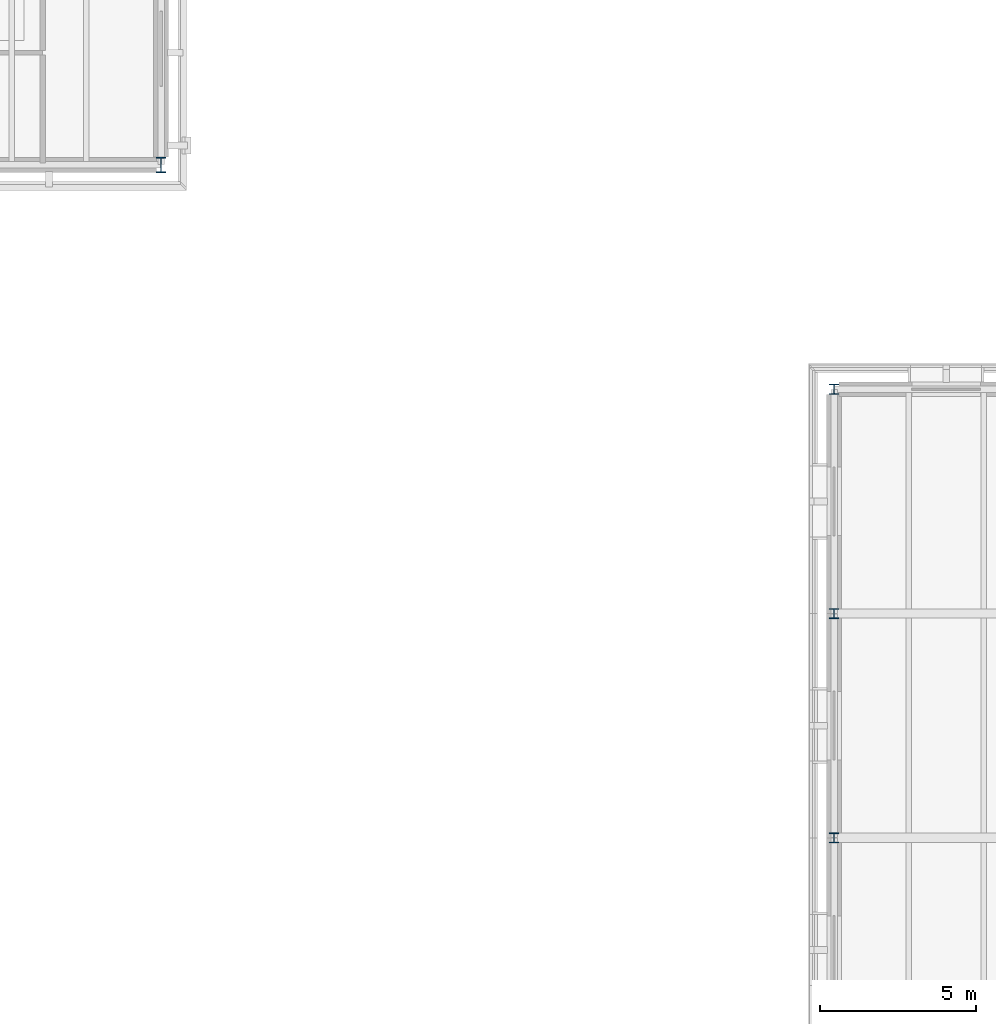
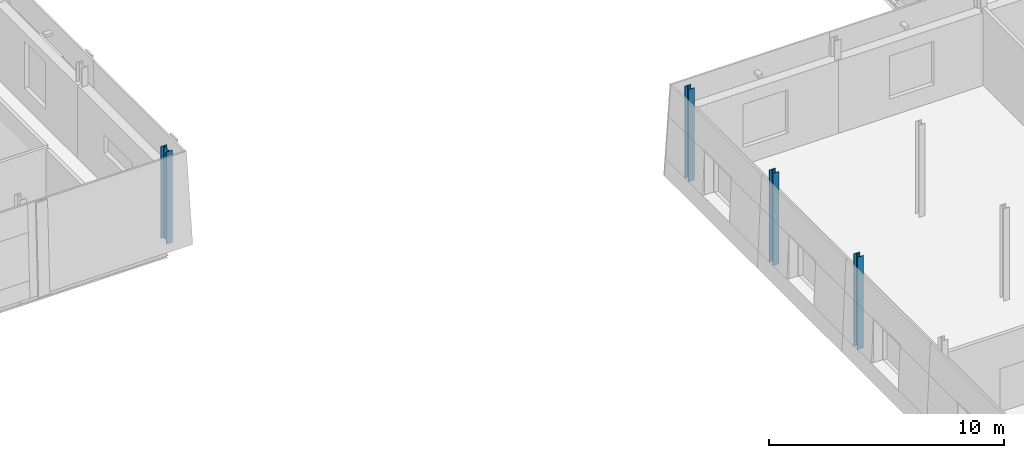
# One storey, part 7 of 121: 4 columns.
"""IFC4 building model written with IfcOpenShell, lengths in metres."""

from ifc_helpers import new_model, si_unit, direction, frame, origin, origin_2d, place, context, subcontext, project, spatial, i_section, extrude, material, material_profile, profile_set, type_object, element, save


model = new_model("IFC4")

# Units and contexts
model_context = context("Model", 3, precision=1e-05, world=origin(), true_north=direction((0.0, 1.0)))
body_context = subcontext(model_context, "Body", "Model", "MODEL_VIEW")
ifc_project = project(units=[si_unit("LENGTHUNIT", "METRE"), si_unit("AREAUNIT", "SQUARE_METRE"), si_unit("VOLUMEUNIT", "CUBIC_METRE"), si_unit("PLANEANGLEUNIT", "RADIAN"), si_unit("MASSUNIT", "GRAM", prefix="KILO")], contexts=[model_context])

# Site, building, storey
site_placement = place(None, origin())
site = spatial("IfcSite", under=ifc_project, at=site_placement, CompositionType="ELEMENT")
building_placement = place(site_placement, origin())
building = spatial("IfcBuilding", under=site, at=building_placement, Name="Narikvali Park Central Library", CompositionType="ELEMENT")
storey_placement = place(building_placement, frame((0.0, 0.0, 5.39990234375)))
storey = spatial("IfcBuildingStorey", under=building, at=storey_placement, Name="L01", CompositionType="ELEMENT", Elevation=5.39990234375)

# Columns
ifc_material = material(Name="Steel S355", Category="steel")
ifc_material_profile_1 = material_profile(ifc_material, i_section(OverallWidth=0.300048828125, OverallDepth=0.320068359375, WebThickness=0.011474609375, FlangeThickness=0.0205078125, FilletRadius=0.027099609375, at=origin_2d()), Name="HEB 320")
ifc_profile_set_1 = profile_set([ifc_material_profile_1], Name="Steel S355")
column_type_1 = type_object("IfcColumnType", Name="Steel Column HEB320", PredefinedType="COLUMN", material=ifc_profile_set_1)
for number, where, z_axis, x_axis, name in (
    (1, (122.39990234375, 36.0, 0.0), (0.0, 0.0, 1.0), (1.0, 0.0, 0.0), "V6 L01 Column (122.4,36.0)"),
    (2, (122.39990234375, 43.199951171875, 0.0), (0.0, 0.0, 1.0), (1.0, 0.0, 0.0), "V6 L01 Column (122.4,43.2)"),
    (3, (122.39990234375, 50.39990234375, 0.0), (0.0, 0.0, 1.0), (1.0, 0.0, 0.0), "V6 L01 Column (122.4,50.4)"),
):
    element("IfcColumn", number, at=place(storey_placement, frame(where, z_axis=z_axis, x_axis=x_axis)), inside=storey, type_object=column_type_1, Name=name, PredefinedType="COLUMN", context=body_context, shape_type="SweptSolid", body=[
        extrude(i_section(OverallWidth=0.300048828125, OverallDepth=0.320068359375, WebThickness=0.011474609375, FlangeThickness=0.0205078125, FilletRadius=0.027099609375, at=origin_2d()), origin(), (0.0, 0.0, 1.0), 4.800048828125),
    ])
ifc_material_profile_2 = material_profile(ifc_material, i_section(OverallWidth=0.300048828125, OverallDepth=0.5, WebThickness=0.014404296875, FlangeThickness=0.028076171875, FilletRadius=0.027099609375, at=origin_2d()), Name="HEB 500")
ifc_profile_set_2 = profile_set([ifc_material_profile_2], Name="Steel S355")
column_type_2 = type_object("IfcColumnType", Name="Steel Column HEB500", PredefinedType="COLUMN", material=ifc_profile_set_2)
column_placement = place(storey_placement, frame((100.800048828125, 57.60009765625, 0.0), z_axis=(0.0, 0.0, 1.0), x_axis=(1.0, 0.0, 0.0)))
element("IfcColumn", 4, at=column_placement, inside=storey, type_object=column_type_2, Name="V1 L01 Column (100.8,57.6)", PredefinedType="COLUMN", context=body_context, shape_type="SweptSolid", body=[
    extrude(i_section(OverallWidth=0.300048828125, OverallDepth=0.5, WebThickness=0.014404296875, FlangeThickness=0.028076171875, FilletRadius=0.027099609375, at=origin_2d()), origin(), (0.0, 0.0, 1.0), 4.800048828125),
])

save(model, "model.ifc")
